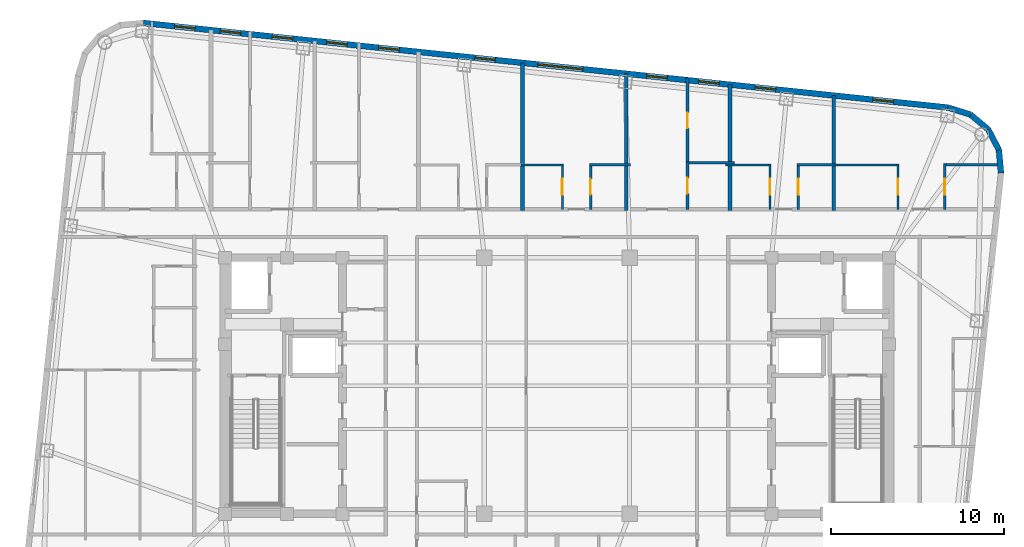
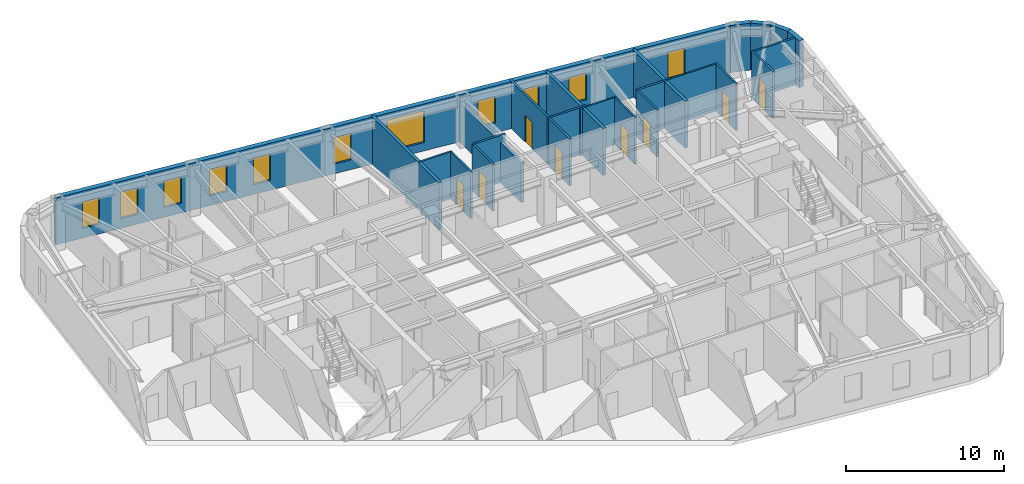
# One storey, part 8 of 11: 24 walls, 11 windows, 8 doors, 19 openings.
"""IFC4 building model written with IfcOpenShell, lengths in metres."""

from ifc_helpers import new_model, si_unit, direction, frame, frame_2d, origin, place, context, subcontext, project, spatial, rectangle, extrude, material, layer, layer_set, type_object, element, fill, save


model = new_model("IFC4")

# Units and contexts
model_context = context("Model", 3, precision=1e-05, world=origin(), true_north=direction((0.0, 1.0)))
body_context = subcontext(model_context, "Body", "Model", "MODEL_VIEW")
ifc_project = project(units=[si_unit("LENGTHUNIT", "METRE"), si_unit("AREAUNIT", "SQUARE_METRE"), si_unit("VOLUMEUNIT", "CUBIC_METRE"), si_unit("PLANEANGLEUNIT", "RADIAN"), si_unit("MASSUNIT", "GRAM", prefix="KILO")], contexts=[model_context])

# Site, building, storey
site_placement = place(None, origin())
site = spatial("IfcSite", under=ifc_project, at=site_placement, CompositionType="ELEMENT")
building_placement = place(site_placement, origin())
building = spatial("IfcBuilding", under=site, at=building_placement, Name="Voryun Gate Residences", CompositionType="ELEMENT")
storey_placement = place(building_placement, frame((0.0, 0.0, 295.10009765625)))
storey = spatial("IfcBuildingStorey", under=building, at=storey_placement, Name="L73", CompositionType="ELEMENT", Elevation=295.10009765625)

# Wall, openings, windows
ifc_material_1 = material(Name="Charcoal terracotta masonry", Category="masonry")
ifc_layer_1 = layer(ifc_material_1, 0.340087890625, Name="W_EXT_TERRACOTTA_340")
ifc_layer_set_1 = layer_set([ifc_layer_1], Name="Charcoal terracotta masonry")
wall_type_1 = type_object("IfcWallType", Name="W_EXT_TERRACOTTA_340", PredefinedType="ELEMENTEDWALL", material=ifc_layer_set_1)
wall_1_placement = place(storey_placement, frame((-23.90771484375, 20.97216796875, 0.0), z_axis=(0.0, 0.0, 1.0), x_axis=(0.994521888554, -0.104528528102, 0.0)))
wall_1 = element("IfcWall", 1, at=wall_1_placement, inside=storey, type_object=wall_type_1, Name="Exterior wall WEXT-L73-11", PredefinedType="ELEMENTEDWALL", context=body_context, shape_type="SweptSolid", body=[
    extrude(rectangle(XDim=46.766357421875, YDim=0.340087890625, at=frame_2d((23.38330078125, 0.0))), origin(), (0.0, 0.0, 1.0), 3.635009765625),
])
opening_1_placement = place(wall_1_placement, frame((22.93310546875, 0.0, 0.64990234375)))
opening_1 = element("IfcOpeningElement", 2, at=opening_1_placement, cuts=wall_1, Name="Opening WN4", PredefinedType="OPENING", context=body_context, shape_type="SweptSolid", body=[
    extrude(rectangle(XDim=2.60009765625, YDim=2.449951171875, at=frame_2d((1.300048828125, 1.22509765625))), frame((0.0, 0.179931640625, 0.0), z_axis=(0.0, -1.0, 0.0), x_axis=(1.0, 0.0, 0.0)), (0.0, 0.0, 1.0), 0.360107421875),
])
opening_2_placement = place(wall_1_placement, frame((1.81201171875, 0.0, 0.75)))
opening_2 = element("IfcOpeningElement", 3, at=opening_2_placement, cuts=wall_1, Name="Opening WN6", PredefinedType="OPENING", context=body_context, shape_type="SweptSolid", body=[
    extrude(rectangle(XDim=1.199951171875, YDim=2.050048828125, at=frame_2d((0.60009765625, 1.02490234375))), frame((0.0, 0.179931640625, 0.0), z_axis=(0.0, -1.0, 0.0), x_axis=(1.0, 0.0, 0.0)), (0.0, 0.0, 1.0), 0.360107421875),
])
opening_3_placement = place(wall_1_placement, frame((7.48095703125, 0.0, 0.75)))
opening_3 = element("IfcOpeningElement", 4, at=opening_3_placement, cuts=wall_1, Name="Opening WN6", PredefinedType="OPENING", context=body_context, shape_type="SweptSolid", body=[
    extrude(rectangle(XDim=1.199951171875, YDim=2.050048828125, at=frame_2d((0.60009765625, 1.02490234375))), frame((0.0, 0.179931640625, 0.0), z_axis=(0.0, -1.0, 0.0), x_axis=(1.0, 0.0, 0.0)), (0.0, 0.0, 1.0), 0.360107421875),
])
opening_4_placement = place(wall_1_placement, frame((4.46435546875, 0.0, 0.75)))
opening_4 = element("IfcOpeningElement", 5, at=opening_4_placement, cuts=wall_1, Name="Opening WN6", PredefinedType="OPENING", context=body_context, shape_type="SweptSolid", body=[
    extrude(rectangle(XDim=1.199951171875, YDim=2.050048828125, at=frame_2d((0.60009765625, 1.02490234375))), frame((0.0, 0.179931640625, 0.0), z_axis=(0.0, -1.0, 0.0), x_axis=(1.0, 0.0, 0.0)), (0.0, 0.0, 1.0), 0.360107421875),
])
opening_5_placement = place(wall_1_placement, frame((13.664794921875, 0.0, 0.75)))
opening_5 = element("IfcOpeningElement", 6, at=opening_5_placement, cuts=wall_1, Name="Opening WN6", PredefinedType="OPENING", context=body_context, shape_type="SweptSolid", body=[
    extrude(rectangle(XDim=1.199951171875, YDim=2.050048828125, at=frame_2d((0.60009765625, 1.02490234375))), frame((0.0, 0.179931640625, 0.0), z_axis=(0.0, -1.0, 0.0), x_axis=(1.0, 0.0, 0.0)), (0.0, 0.0, 1.0), 0.360107421875),
])
opening_6_placement = place(wall_1_placement, frame((10.648193359375, 0.0, 0.75)))
opening_6 = element("IfcOpeningElement", 7, at=opening_6_placement, cuts=wall_1, Name="Opening WN6", PredefinedType="OPENING", context=body_context, shape_type="SweptSolid", body=[
    extrude(rectangle(XDim=1.199951171875, YDim=2.050048828125, at=frame_2d((0.60009765625, 1.02490234375))), frame((0.0, 0.179931640625, 0.0), z_axis=(0.0, -1.0, 0.0), x_axis=(1.0, 0.0, 0.0)), (0.0, 0.0, 1.0), 0.360107421875),
])
opening_7_placement = place(wall_1_placement, frame((19.254150390625, 0.0, 0.75)))
opening_7 = element("IfcOpeningElement", 8, at=opening_7_placement, cuts=wall_1, Name="Opening WN6", PredefinedType="OPENING", context=body_context, shape_type="SweptSolid", body=[
    extrude(rectangle(XDim=1.199951171875, YDim=2.050048828125, at=frame_2d((0.60009765625, 1.02490234375))), frame((0.0, 0.179931640625, 0.0), z_axis=(0.0, -1.0, 0.0), x_axis=(1.0, 0.0, 0.0)), (0.0, 0.0, 1.0), 0.360107421875),
])
opening_8_placement = place(wall_1_placement, frame((29.2470703125, 0.0, 0.75)))
opening_8 = element("IfcOpeningElement", 9, at=opening_8_placement, cuts=wall_1, Name="Opening WN6", PredefinedType="OPENING", context=body_context, shape_type="SweptSolid", body=[
    extrude(rectangle(XDim=1.199951171875, YDim=2.050048828125, at=frame_2d((0.60009765625, 1.02490234375))), frame((0.0, 0.179931640625, 0.0), z_axis=(0.0, -1.0, 0.0), x_axis=(1.0, 0.0, 0.0)), (0.0, 0.0, 1.0), 0.360107421875),
])
opening_9_placement = place(wall_1_placement, frame((32.263671875, 0.0, 0.75)))
opening_9 = element("IfcOpeningElement", 10, at=opening_9_placement, cuts=wall_1, Name="Opening WN6", PredefinedType="OPENING", context=body_context, shape_type="SweptSolid", body=[
    extrude(rectangle(XDim=1.199951171875, YDim=2.050048828125, at=frame_2d((0.60009765625, 1.02490234375))), frame((0.0, 0.179931640625, 0.0), z_axis=(0.0, -1.0, 0.0), x_axis=(1.0, 0.0, 0.0)), (0.0, 0.0, 1.0), 0.360107421875),
])
opening_10_placement = place(wall_1_placement, frame((35.553466796875, 0.0, 0.75)))
opening_10 = element("IfcOpeningElement", 11, at=opening_10_placement, cuts=wall_1, Name="Opening WN6", PredefinedType="OPENING", context=body_context, shape_type="SweptSolid", body=[
    extrude(rectangle(XDim=1.199951171875, YDim=2.050048828125, at=frame_2d((0.60009765625, 1.02490234375))), frame((0.0, 0.179931640625, 0.0), z_axis=(0.0, -1.0, 0.0), x_axis=(1.0, 0.0, 0.0)), (0.0, 0.0, 1.0), 0.360107421875),
])
opening_11_placement = place(wall_1_placement, frame((42.40185546875, 0.0, 0.75)))
opening_11 = element("IfcOpeningElement", 12, at=opening_11_placement, cuts=wall_1, Name="Opening WN6", PredefinedType="OPENING", context=body_context, shape_type="SweptSolid", body=[
    extrude(rectangle(XDim=1.199951171875, YDim=2.050048828125, at=frame_2d((0.60009765625, 1.02490234375))), frame((0.0, 0.179931640625, 0.0), z_axis=(0.0, -1.0, 0.0), x_axis=(1.0, 0.0, 0.0)), (0.0, 0.0, 1.0), 0.360107421875),
])
ifc_material_2 = material(Name="Laminated low-E glass", Category="glass")
window_type_1 = type_object("IfcWindowType", Name="WN_PENT_TALL_2600", PartitioningType="SINGLE_PANEL", PredefinedType="WINDOW", material=ifc_material_2)
window_1_placement = place(opening_1_placement, origin())
window_1 = element("IfcWindow", 13, at=window_1_placement, inside=storey, type_object=window_type_1, Name="Window WN-WEXT-L73-11-02", OverallHeight=2.449951171875, OverallWidth=2.60009765625, PartitioningType="SINGLE_PANEL", PredefinedType="WINDOW", context=body_context, shape_type="SweptSolid", body=[
    extrude(rectangle(XDim=2.60009765625, YDim=2.449951171875, at=frame_2d((1.300048828125, 1.22509765625))), frame((0.0, 0.030029296875, 0.0), z_axis=(0.0, -1.0, 0.0), x_axis=(1.0, 0.0, 0.0)), (0.0, 0.0, 1.0), 0.06005859375),
])
fill(opening_1, window_1)
ifc_material_3 = material(Name="Laminated low-E glass", Category="glass")
window_type_2 = type_object("IfcWindowType", Name="WN_POD_SLOT_1200", PartitioningType="SINGLE_PANEL", PredefinedType="WINDOW", material=ifc_material_3)
window_2_placement = place(opening_2_placement, origin())
window_2 = element("IfcWindow", 14, at=window_2_placement, inside=storey, type_object=window_type_2, Name="Window WN-L73-DWFIX-02", OverallHeight=2.050048828125, OverallWidth=1.199951171875, PartitioningType="SINGLE_PANEL", PredefinedType="WINDOW", context=body_context, shape_type="SweptSolid", body=[
    extrude(rectangle(XDim=1.199951171875, YDim=2.050048828125, at=frame_2d((0.60009765625, 1.02490234375))), frame((0.0, 0.030029296875, 0.0), z_axis=(0.0, -1.0, 0.0), x_axis=(1.0, 0.0, 0.0)), (0.0, 0.0, 1.0), 0.06005859375),
])
fill(opening_2, window_2)
window_3_placement = place(opening_3_placement, origin())
window_3 = element("IfcWindow", 15, at=window_3_placement, inside=storey, type_object=window_type_2, Name="Window WN-L73-DWFIX-03", OverallHeight=2.050048828125, OverallWidth=1.199951171875, PartitioningType="SINGLE_PANEL", PredefinedType="WINDOW", context=body_context, shape_type="SweptSolid", body=[
    extrude(rectangle(XDim=1.199951171875, YDim=2.050048828125, at=frame_2d((0.60009765625, 1.02490234375))), frame((0.0, 0.030029296875, 0.0), z_axis=(0.0, -1.0, 0.0), x_axis=(1.0, 0.0, 0.0)), (0.0, 0.0, 1.0), 0.06005859375),
])
fill(opening_3, window_3)
window_4_placement = place(opening_4_placement, origin())
window_4 = element("IfcWindow", 16, at=window_4_placement, inside=storey, type_object=window_type_2, Name="Window WN-L73-DWFIX-04", OverallHeight=2.050048828125, OverallWidth=1.199951171875, PartitioningType="SINGLE_PANEL", PredefinedType="WINDOW", context=body_context, shape_type="SweptSolid", body=[
    extrude(rectangle(XDim=1.199951171875, YDim=2.050048828125, at=frame_2d((0.60009765625, 1.02490234375))), frame((0.0, 0.030029296875, 0.0), z_axis=(0.0, -1.0, 0.0), x_axis=(1.0, 0.0, 0.0)), (0.0, 0.0, 1.0), 0.06005859375),
])
fill(opening_4, window_4)
window_5_placement = place(opening_5_placement, origin())
window_5 = element("IfcWindow", 17, at=window_5_placement, inside=storey, type_object=window_type_2, Name="Window WN-L73-DWFIX-05", OverallHeight=2.050048828125, OverallWidth=1.199951171875, PartitioningType="SINGLE_PANEL", PredefinedType="WINDOW", context=body_context, shape_type="SweptSolid", body=[
    extrude(rectangle(XDim=1.199951171875, YDim=2.050048828125, at=frame_2d((0.60009765625, 1.02490234375))), frame((0.0, 0.030029296875, 0.0), z_axis=(0.0, -1.0, 0.0), x_axis=(1.0, 0.0, 0.0)), (0.0, 0.0, 1.0), 0.06005859375),
])
fill(opening_5, window_5)
window_6_placement = place(opening_6_placement, origin())
window_6 = element("IfcWindow", 18, at=window_6_placement, inside=storey, type_object=window_type_2, Name="Window WN-L73-DWFIX-06", OverallHeight=2.050048828125, OverallWidth=1.199951171875, PartitioningType="SINGLE_PANEL", PredefinedType="WINDOW", context=body_context, shape_type="SweptSolid", body=[
    extrude(rectangle(XDim=1.199951171875, YDim=2.050048828125, at=frame_2d((0.60009765625, 1.02490234375))), frame((0.0, 0.030029296875, 0.0), z_axis=(0.0, -1.0, 0.0), x_axis=(1.0, 0.0, 0.0)), (0.0, 0.0, 1.0), 0.06005859375),
])
fill(opening_6, window_6)
window_7_placement = place(opening_7_placement, origin())
window_7 = element("IfcWindow", 19, at=window_7_placement, inside=storey, type_object=window_type_2, Name="Window WN-L73-DWFIX-07", OverallHeight=2.050048828125, OverallWidth=1.199951171875, PartitioningType="SINGLE_PANEL", PredefinedType="WINDOW", context=body_context, shape_type="SweptSolid", body=[
    extrude(rectangle(XDim=1.199951171875, YDim=2.050048828125, at=frame_2d((0.60009765625, 1.02490234375))), frame((0.0, 0.030029296875, 0.0), z_axis=(0.0, -1.0, 0.0), x_axis=(1.0, 0.0, 0.0)), (0.0, 0.0, 1.0), 0.06005859375),
])
fill(opening_7, window_7)
window_8_placement = place(opening_8_placement, origin())
window_8 = element("IfcWindow", 20, at=window_8_placement, inside=storey, type_object=window_type_2, Name="Window WN-L73-DWFIX-08", OverallHeight=2.050048828125, OverallWidth=1.199951171875, PartitioningType="SINGLE_PANEL", PredefinedType="WINDOW", context=body_context, shape_type="SweptSolid", body=[
    extrude(rectangle(XDim=1.199951171875, YDim=2.050048828125, at=frame_2d((0.60009765625, 1.02490234375))), frame((0.0, 0.030029296875, 0.0), z_axis=(0.0, -1.0, 0.0), x_axis=(1.0, 0.0, 0.0)), (0.0, 0.0, 1.0), 0.06005859375),
])
fill(opening_8, window_8)
window_9_placement = place(opening_9_placement, origin())
window_9 = element("IfcWindow", 21, at=window_9_placement, inside=storey, type_object=window_type_2, Name="Window WN-L73-DWFIX-09", OverallHeight=2.050048828125, OverallWidth=1.199951171875, PartitioningType="SINGLE_PANEL", PredefinedType="WINDOW", context=body_context, shape_type="SweptSolid", body=[
    extrude(rectangle(XDim=1.199951171875, YDim=2.050048828125, at=frame_2d((0.60009765625, 1.02490234375))), frame((0.0, 0.030029296875, 0.0), z_axis=(0.0, -1.0, 0.0), x_axis=(1.0, 0.0, 0.0)), (0.0, 0.0, 1.0), 0.06005859375),
])
fill(opening_9, window_9)
window_10_placement = place(opening_10_placement, origin())
window_10 = element("IfcWindow", 22, at=window_10_placement, inside=storey, type_object=window_type_2, Name="Window WN-L73-DWFIX-10", OverallHeight=2.050048828125, OverallWidth=1.199951171875, PartitioningType="SINGLE_PANEL", PredefinedType="WINDOW", context=body_context, shape_type="SweptSolid", body=[
    extrude(rectangle(XDim=1.199951171875, YDim=2.050048828125, at=frame_2d((0.60009765625, 1.02490234375))), frame((0.0, 0.030029296875, 0.0), z_axis=(0.0, -1.0, 0.0), x_axis=(1.0, 0.0, 0.0)), (0.0, 0.0, 1.0), 0.06005859375),
])
fill(opening_10, window_10)
window_11_placement = place(opening_11_placement, origin())
window_11 = element("IfcWindow", 23, at=window_11_placement, inside=storey, type_object=window_type_2, Name="Window WN-L73-DWFIX-11", OverallHeight=2.050048828125, OverallWidth=1.199951171875, PartitioningType="SINGLE_PANEL", PredefinedType="WINDOW", context=body_context, shape_type="SweptSolid", body=[
    extrude(rectangle(XDim=1.199951171875, YDim=2.050048828125, at=frame_2d((0.60009765625, 1.02490234375))), frame((0.0, 0.030029296875, 0.0), z_axis=(0.0, -1.0, 0.0), x_axis=(1.0, 0.0, 0.0)), (0.0, 0.0, 1.0), 0.06005859375),
])
fill(opening_11, window_11)

# Walls
wall_2_placement = place(storey_placement, frame((22.6025390625, 16.083740234375, 0.0), z_axis=(0.0, 0.0, 1.0), x_axis=(0.955007802701, -0.296580674994, 0.0)))
element("IfcWall", 24, at=wall_2_placement, inside=storey, type_object=wall_type_1, Name="Exterior wall WEXT-L73-12", PredefinedType="ELEMENTEDWALL", context=body_context, shape_type="SweptSolid", body=[
    extrude(rectangle(XDim=1.354248046875, YDim=0.340087890625, at=frame_2d((0.67724609375, 0.0))), origin(), (0.0, 0.0, 1.0), 3.635009765625),
])
for number, where, z_axis, x_axis, name in (
    (25, (23.895751953125, 15.68212890625, 0.0), (0.0, 0.0, 1.0), (0.768789762863, -0.639501603217, 0.0), "Exterior wall WEXT-L73-13"),
    (26, (24.923583984375, 14.8271484375, 0.0), (0.0, 0.0, 1.0), (0.46567116636, -0.884957832228, 0.0), "Exterior wall WEXT-L73-14"),
):
    element("IfcWall", number, at=place(storey_placement, frame(where, z_axis=z_axis, x_axis=x_axis)), inside=storey, type_object=wall_type_1, Name=name, PredefinedType="ELEMENTEDWALL", context=body_context, shape_type="SweptSolid", body=[
        extrude(rectangle(XDim=1.3369140625, YDim=0.340087890625, at=frame_2d((0.66845703125, 0.0))), origin(), (0.0, 0.0, 1.0), 3.635009765625),
    ])
wall_3_placement = place(storey_placement, frame((25.546142578125, 13.64404296875, 0.0), z_axis=(0.0, 0.0, 1.0), x_axis=(0.091592370975, -0.995796584438, 0.0)))
element("IfcWall", 27, at=wall_3_placement, inside=storey, type_object=wall_type_1, Name="Exterior wall WEXT-L73-15", PredefinedType="ELEMENTEDWALL", context=body_context, shape_type="SweptSolid", body=[
    extrude(rectangle(XDim=1.35400390625, YDim=0.340087890625, at=frame_2d((0.677001953125, 0.0))), origin(), (0.0, 0.0, 1.0), 3.635009765625),
])
ifc_material_4 = material(Name="Concrete C40/50", Category="concrete")
ifc_layer_2 = layer(ifc_material_4, 0.219970703125, Name="W_PARTY_ACOUSTIC_220")
ifc_layer_set_2 = layer_set([ifc_layer_2], Name="Concrete C40/50")
wall_type_2 = type_object("IfcWallType", Name="W_PARTY_ACOUSTIC_220", PredefinedType="PARTITIONING", material=ifc_layer_set_2)
wall_4_placement = place(storey_placement, frame((-2.0, 10.1201171875, 0.0), z_axis=(0.0, 0.0, 1.0), x_axis=(0.0, 1.0, 0.0)))
element("IfcWall", 28, at=wall_4_placement, inside=storey, type_object=wall_type_2, Name="Partition wall WP-L73-NPTY-4", PredefinedType="PARTITIONING", context=body_context, shape_type="SweptSolid", body=[
    extrude(rectangle(XDim=8.549560546875, YDim=0.219970703125, at=frame_2d((4.27490234375, 0.0))), origin(), (0.0, 0.0, 1.0), 3.635009765625),
])
wall_5_placement = place(storey_placement, frame((4.0, 10.1201171875, 0.0), z_axis=(0.0, 0.0, 1.0), x_axis=(0.0, 1.0, 0.0)))
element("IfcWall", 29, at=wall_5_placement, inside=storey, type_object=wall_type_2, Name="Partition wall WP-L73-NPTY-5", PredefinedType="PARTITIONING", context=body_context, shape_type="SweptSolid", body=[
    extrude(rectangle(XDim=7.918701171875, YDim=0.219970703125, at=frame_2d((3.95947265625, 0.0))), origin(), (0.0, 0.0, 1.0), 3.074951171875),
])
wall_6_placement = place(storey_placement, frame((10.0, 10.1201171875, 0.0), z_axis=(0.0, 0.0, 1.0), x_axis=(0.0, 1.0, 0.0)))
element("IfcWall", 30, at=wall_6_placement, inside=storey, type_object=wall_type_2, Name="Partition wall WP-L73-NPTY-6", PredefinedType="PARTITIONING", context=body_context, shape_type="SweptSolid", body=[
    extrude(rectangle(XDim=7.2880859375, YDim=0.219970703125, at=frame_2d((3.64404296875, 0.0))), origin(), (0.0, 0.0, 1.0), 3.635009765625),
])
wall_7_placement = place(storey_placement, frame((16.0, 10.1201171875, 0.0), z_axis=(0.0, 0.0, 1.0), x_axis=(0.0, 1.0, 0.0)))
element("IfcWall", 31, at=wall_7_placement, inside=storey, type_object=wall_type_2, Name="Partition wall WP-L73-NPTY-7", PredefinedType="PARTITIONING", context=body_context, shape_type="SweptSolid", body=[
    extrude(rectangle(XDim=6.657470703125, YDim=0.219970703125, at=frame_2d((3.32861328125, 0.0))), origin(), (0.0, 0.0, 1.0), 3.635009765625),
])

# Wall, opening, door
ifc_material_5 = material(Name="Gypsum acoustic partition")
ifc_layer_3 = layer(ifc_material_5, 0.125, Name="W_UNIT_PART_125")
ifc_layer_set_3 = layer_set([ifc_layer_3], Name="Gypsum acoustic partition")
wall_type_3 = type_object("IfcWallType", Name="W_UNIT_PART_125", PredefinedType="PARTITIONING", material=ifc_layer_set_3)
wall_8_placement = place(storey_placement, frame((0.31005859375, 10.179931640625, 0.0), z_axis=(0.0, 0.0, 1.0), x_axis=(0.0, 1.0, 0.0)))
wall_8 = element("IfcWall", 32, at=wall_8_placement, inside=storey, type_object=wall_type_3, Name="Partition wall WP-L73-N5-CVK", PredefinedType="PARTITIONING", context=body_context, shape_type="SweptSolid", body=[
    extrude(rectangle(XDim=2.650146484375, YDim=0.125, at=frame_2d((1.3251953125, 0.0))), origin(), (0.0, 0.0, 1.0), 3.635009765625),
])
opening_12_placement = place(wall_8_placement, frame((0.875, 0.0, 0.0)))
opening_12 = element("IfcOpeningElement", 33, at=opening_12_placement, cuts=wall_8, Name="Opening D-INT-2", PredefinedType="OPENING", context=body_context, shape_type="SweptSolid", body=[
    extrude(rectangle(XDim=0.89990234375, YDim=2.050048828125, at=frame_2d((0.449951171875, 1.02490234375))), frame((0.0, 0.072509765625, 0.0), z_axis=(0.0, -1.0, 0.0), x_axis=(1.0, 0.0, 0.0)), (0.0, 0.0, 1.0), 0.14501953125),
])
ifc_material_6 = material(Name="Architectural oak veneer")
door_type = type_object("IfcDoorType", Name="DR_INT_BATH_900", OperationType="NOTDEFINED", PredefinedType="DOOR", material=ifc_material_6)
door_1_placement = place(opening_12_placement, origin())
door_1 = element("IfcDoor", 34, at=door_1_placement, inside=storey, type_object=door_type, Name="Door DR-L73-N5-DK", OperationType="SINGLE_SWING_LEFT", OverallHeight=2.050048828125, OverallWidth=0.89990234375, PredefinedType="DOOR", context=body_context, shape_type="SweptSolid", body=[
    extrude(rectangle(XDim=0.89990234375, YDim=2.050048828125, at=frame_2d((0.449951171875, 1.02490234375))), frame((0.0, 0.02490234375, 0.0), z_axis=(0.0, -1.0, 0.0), x_axis=(1.0, 0.0, 0.0)), (0.0, 0.0, 1.0), 0.050048828125),
])
fill(opening_12, door_1)

# Wall
wall_9_placement = place(storey_placement, frame((-2.074951171875, 12.77001953125, 0.0), z_axis=(0.0, 0.0, 1.0), x_axis=(1.0, 0.0, 0.0)))
element("IfcWall", 35, at=wall_9_placement, inside=storey, type_object=wall_type_3, Name="Partition wall WP-L73-N5-CHK", PredefinedType="PARTITIONING", context=body_context, shape_type="SweptSolid", body=[
    extrude(rectangle(XDim=2.445068359375, YDim=0.125, at=frame_2d((1.22265625, 0.0))), origin(), (0.0, 0.0, 1.0), 3.635009765625),
])

# Wall, opening, door
wall_10_placement = place(storey_placement, frame((12.31005859375, 10.179931640625, 0.0), z_axis=(0.0, 0.0, 1.0), x_axis=(0.0, 1.0, 0.0)))
wall_10 = element("IfcWall", 36, at=wall_10_placement, inside=storey, type_object=wall_type_3, Name="Partition wall WP-L73-N7-CVK", PredefinedType="PARTITIONING", context=body_context, shape_type="SweptSolid", body=[
    extrude(rectangle(XDim=2.650146484375, YDim=0.125, at=frame_2d((1.3251953125, 0.0))), origin(), (0.0, 0.0, 1.0), 3.635009765625),
])
opening_13_placement = place(wall_10_placement, frame((0.875, 0.0, 0.0)))
opening_13 = element("IfcOpeningElement", 37, at=opening_13_placement, cuts=wall_10, Name="Opening D-INT-2", PredefinedType="OPENING", context=body_context, shape_type="SweptSolid", body=[
    extrude(rectangle(XDim=0.89990234375, YDim=2.050048828125, at=frame_2d((0.449951171875, 1.02490234375))), frame((0.0, 0.072509765625, 0.0), z_axis=(0.0, -1.0, 0.0), x_axis=(1.0, 0.0, 0.0)), (0.0, 0.0, 1.0), 0.14501953125),
])
door_2_placement = place(opening_13_placement, origin())
door_2 = element("IfcDoor", 38, at=door_2_placement, inside=storey, type_object=door_type, Name="Door DR-L73-N7-DK", OperationType="SINGLE_SWING_LEFT", OverallHeight=2.050048828125, OverallWidth=0.89990234375, PredefinedType="DOOR", context=body_context, shape_type="SweptSolid", body=[
    extrude(rectangle(XDim=0.89990234375, YDim=2.050048828125, at=frame_2d((0.449951171875, 1.02490234375))), frame((0.0, 0.02490234375, 0.0), z_axis=(0.0, -1.0, 0.0), x_axis=(1.0, 0.0, 0.0)), (0.0, 0.0, 1.0), 0.050048828125),
])
fill(opening_13, door_2)

# Wall
wall_11_placement = place(storey_placement, frame((9.739990234375, 12.77001953125, 0.0), z_axis=(0.0, 0.0, 1.0), x_axis=(1.0, 0.0, 0.0)))
element("IfcWall", 39, at=wall_11_placement, inside=storey, type_object=wall_type_3, Name="Partition wall WP-L73-N7-CHK", PredefinedType="PARTITIONING", context=body_context, shape_type="SweptSolid", body=[
    extrude(rectangle(XDim=2.630126953125, YDim=0.125, at=frame_2d((1.31494140625, 0.0))), origin(), (0.0, 0.0, 1.0), 3.635009765625),
])

# Wall, opening, door
wall_12_placement = place(storey_placement, frame((19.714111328125, 10.179931640625, 0.0), z_axis=(0.0, 0.0, 1.0), x_axis=(0.0, 1.0, 0.0)))
wall_12 = element("IfcWall", 40, at=wall_12_placement, inside=storey, type_object=wall_type_3, Name="Partition wall WP-L73-N8-CVK", PredefinedType="PARTITIONING", context=body_context, shape_type="SweptSolid", body=[
    extrude(rectangle(XDim=2.650146484375, YDim=0.125, at=frame_2d((1.3251953125, 0.0))), origin(), (0.0, 0.0, 1.0), 3.635009765625),
])
opening_14_placement = place(wall_12_placement, frame((0.875, 0.0, 0.0)))
opening_14 = element("IfcOpeningElement", 41, at=opening_14_placement, cuts=wall_12, Name="Opening D-INT-2", PredefinedType="OPENING", context=body_context, shape_type="SweptSolid", body=[
    extrude(rectangle(XDim=0.89990234375, YDim=2.050048828125, at=frame_2d((0.449951171875, 1.02490234375))), frame((0.0, 0.072509765625, 0.0), z_axis=(0.0, -1.0, 0.0), x_axis=(1.0, 0.0, 0.0)), (0.0, 0.0, 1.0), 0.14501953125),
])
door_3_placement = place(opening_14_placement, origin())
door_3 = element("IfcDoor", 42, at=door_3_placement, inside=storey, type_object=door_type, Name="Door DR-L73-N8-DK", OperationType="SINGLE_SWING_LEFT", OverallHeight=2.050048828125, OverallWidth=0.89990234375, PredefinedType="DOOR", context=body_context, shape_type="SweptSolid", body=[
    extrude(rectangle(XDim=0.89990234375, YDim=2.050048828125, at=frame_2d((0.449951171875, 1.02490234375))), frame((0.0, 0.02490234375, 0.0), z_axis=(0.0, -1.0, 0.0), x_axis=(1.0, 0.0, 0.0)), (0.0, 0.0, 1.0), 0.050048828125),
])
fill(opening_14, door_3)

# Wall
wall_13_placement = place(storey_placement, frame((15.925048828125, 12.77001953125, 0.0), z_axis=(0.0, 0.0, 1.0), x_axis=(1.0, 0.0, 0.0)))
element("IfcWall", 43, at=wall_13_placement, inside=storey, type_object=wall_type_3, Name="Partition wall WP-L73-N8-CHK", PredefinedType="PARTITIONING", context=body_context, shape_type="SweptSolid", body=[
    extrude(rectangle(XDim=3.848876953125, YDim=0.125, at=frame_2d((1.92431640625, 0.0))), origin(), (0.0, 0.0, 1.0), 3.635009765625),
])

# Wall, opening, door
ifc_material_7 = material(Name="Gypsum moisture-resistant partition")
ifc_layer_4 = layer(ifc_material_7, 0.14990234375, Name="W_WET_PLUMB_150")
ifc_layer_set_4 = layer_set([ifc_layer_4], Name="Gypsum moisture-resistant partition")
wall_type_4 = type_object("IfcWallType", Name="W_WET_PLUMB_150", PredefinedType="PLUMBINGWALL", material=ifc_layer_set_4)
wall_14_placement = place(storey_placement, frame((1.94091796875, 10.179931640625, 0.0), z_axis=(0.0, 0.0, 1.0), x_axis=(0.0, 1.0, 0.0)))
wall_14 = element("IfcWall", 44, at=wall_14_placement, inside=storey, type_object=wall_type_4, Name="Partition wall WP-L73-N5-CVB", PredefinedType="PLUMBINGWALL", context=body_context, shape_type="SweptSolid", body=[
    extrude(rectangle(XDim=2.650146484375, YDim=0.14990234375, at=frame_2d((1.3251953125, 0.0))), origin(), (0.0, 0.0, 1.0), 3.635009765625),
])
opening_15_placement = place(wall_14_placement, frame((0.875, 0.0, 0.0)))
opening_15 = element("IfcOpeningElement", 45, at=opening_15_placement, cuts=wall_14, Name="Opening D-INT-2", PredefinedType="OPENING", context=body_context, shape_type="SweptSolid", body=[
    extrude(rectangle(XDim=0.89990234375, YDim=2.050048828125, at=frame_2d((0.449951171875, 1.02490234375))), frame((0.0, 0.0849609375, 0.0), z_axis=(0.0, -1.0, 0.0), x_axis=(1.0, 0.0, 0.0)), (0.0, 0.0, 1.0), 0.169921875),
])
door_4_placement = place(opening_15_placement, origin())
door_4 = element("IfcDoor", 46, at=door_4_placement, inside=storey, type_object=door_type, Name="Door DR-L73-N5-DB", OperationType="SINGLE_SWING_RIGHT", OverallHeight=2.050048828125, OverallWidth=0.89990234375, PredefinedType="DOOR", context=body_context, shape_type="SweptSolid", body=[
    extrude(rectangle(XDim=0.89990234375, YDim=2.050048828125, at=frame_2d((0.449951171875, 1.02490234375))), frame((0.0, 0.02490234375, 0.0), z_axis=(0.0, -1.0, 0.0), x_axis=(1.0, 0.0, 0.0)), (0.0, 0.0, 1.0), 0.050048828125),
])
fill(opening_15, door_4)

# Walls
wall_15_placement = place(storey_placement, frame((1.881103515625, 12.77001953125, 0.0), z_axis=(0.0, 0.0, 1.0), x_axis=(1.0, 0.0, 0.0)))
element("IfcWall", 47, at=wall_15_placement, inside=storey, type_object=wall_type_4, Name="Partition wall WP-L73-N5-CHB", PredefinedType="PLUMBINGWALL", context=body_context, shape_type="SweptSolid", body=[
    extrude(rectangle(XDim=2.37890625, YDim=0.14990234375, at=frame_2d((1.189453125, 0.0))), origin(), (0.0, 0.0, 1.0), 3.635009765625),
])
wall_16_placement = place(storey_placement, frame((7.467041015625, 12.89990234375, 0.0), z_axis=(0.0, 0.0, 1.0), x_axis=(1.0, 0.0, 0.0)))
element("IfcWall", 48, at=wall_16_placement, inside=storey, type_object=wall_type_4, Name="Partition wall WP-L73-N6-SKB", PredefinedType="PLUMBINGWALL", context=body_context, shape_type="SweptSolid", body=[
    extrude(rectangle(XDim=2.79296875, YDim=0.14990234375, at=frame_2d((1.396484375, 0.0))), origin(), (0.0, 0.0, 1.0), 3.635009765625),
])

# Wall, opening, door
wall_17_placement = place(storey_placement, frame((7.547119140625, 10.179931640625, 0.0), z_axis=(0.0, 0.0, 1.0), x_axis=(0.0, 1.0, 0.0)))
wall_17 = element("IfcWall", 49, at=wall_17_placement, inside=storey, type_object=wall_type_4, Name="Partition wall WP-L73-N6-SVT1", PredefinedType="PLUMBINGWALL", context=body_context, shape_type="SweptSolid", body=[
    extrude(rectangle(XDim=2.760009765625, YDim=0.14990234375, at=frame_2d((1.3798828125, 0.0))), origin(), (0.0, 0.0, 1.0), 3.635009765625),
])
opening_16_placement = place(wall_17_placement, frame((0.929931640625, 0.0, 0.0)))
opening_16 = element("IfcOpeningElement", 50, at=opening_16_placement, cuts=wall_17, Name="Opening D-INT-2", PredefinedType="OPENING", context=body_context, shape_type="SweptSolid", body=[
    extrude(rectangle(XDim=0.89990234375, YDim=2.050048828125, at=frame_2d((0.449951171875, 1.02490234375))), frame((0.0, 0.0849609375, 0.0), z_axis=(0.0, -1.0, 0.0), x_axis=(1.0, 0.0, 0.0)), (0.0, 0.0, 1.0), 0.169921875),
])
door_5_placement = place(opening_16_placement, origin())
door_5 = element("IfcDoor", 51, at=door_5_placement, inside=storey, type_object=door_type, Name="Door DR-L73-N6-DB", OperationType="SINGLE_SWING_LEFT", OverallHeight=2.050048828125, OverallWidth=0.89990234375, PredefinedType="DOOR", context=body_context, shape_type="SweptSolid", body=[
    extrude(rectangle(XDim=0.89990234375, YDim=2.050048828125, at=frame_2d((0.449951171875, 1.02490234375))), frame((0.0, 0.02490234375, 0.0), z_axis=(0.0, -1.0, 0.0), x_axis=(1.0, 0.0, 0.0)), (0.0, 0.0, 1.0), 0.050048828125),
])
fill(opening_16, door_5)

wall_18_placement = place(storey_placement, frame((7.547119140625, 12.860107421875, 0.0), z_axis=(0.0, 0.0, 1.0), x_axis=(0.0, 1.0, 0.0)))
wall_18 = element("IfcWall", 52, at=wall_18_placement, inside=storey, type_object=wall_type_4, Name="Partition wall WP-L73-N6-SVT2", PredefinedType="PLUMBINGWALL", context=body_context, shape_type="SweptSolid", body=[
    extrude(rectangle(XDim=4.956787109375, YDim=0.14990234375, at=frame_2d((2.478515625, 0.0))), origin(), (0.0, 0.0, 1.0), 3.635009765625),
])
opening_17_placement = place(wall_18_placement, frame((2.028564453125, 0.0, 0.0)))
opening_17 = element("IfcOpeningElement", 53, at=opening_17_placement, cuts=wall_18, Name="Opening D-INT-2", PredefinedType="OPENING", context=body_context, shape_type="SweptSolid", body=[
    extrude(rectangle(XDim=0.89990234375, YDim=2.050048828125, at=frame_2d((0.449951171875, 1.02490234375))), frame((0.0, 0.0849609375, 0.0), z_axis=(0.0, -1.0, 0.0), x_axis=(1.0, 0.0, 0.0)), (0.0, 0.0, 1.0), 0.169921875),
])
door_6_placement = place(opening_17_placement, origin())
door_6 = element("IfcDoor", 54, at=door_6_placement, inside=storey, type_object=door_type, Name="Door DR-L73-N6-DK", OperationType="SINGLE_SWING_RIGHT", OverallHeight=2.050048828125, OverallWidth=0.89990234375, PredefinedType="DOOR", context=body_context, shape_type="SweptSolid", body=[
    extrude(rectangle(XDim=0.89990234375, YDim=2.050048828125, at=frame_2d((0.449951171875, 1.02490234375))), frame((0.0, 0.02490234375, 0.0), z_axis=(0.0, -1.0, 0.0), x_axis=(1.0, 0.0, 0.0)), (0.0, 0.0, 1.0), 0.050048828125),
])
fill(opening_17, door_6)

wall_19_placement = place(storey_placement, frame((13.94091796875, 10.179931640625, 0.0), z_axis=(0.0, 0.0, 1.0), x_axis=(0.0, 1.0, 0.0)))
wall_19 = element("IfcWall", 55, at=wall_19_placement, inside=storey, type_object=wall_type_4, Name="Partition wall WP-L73-N7-CVB", PredefinedType="PLUMBINGWALL", context=body_context, shape_type="SweptSolid", body=[
    extrude(rectangle(XDim=2.650146484375, YDim=0.14990234375, at=frame_2d((1.3251953125, 0.0))), origin(), (0.0, 0.0, 1.0), 3.635009765625),
])
opening_18_placement = place(wall_19_placement, frame((0.875, 0.0, 0.0)))
opening_18 = element("IfcOpeningElement", 56, at=opening_18_placement, cuts=wall_19, Name="Opening D-INT-2", PredefinedType="OPENING", context=body_context, shape_type="SweptSolid", body=[
    extrude(rectangle(XDim=0.89990234375, YDim=2.050048828125, at=frame_2d((0.449951171875, 1.02490234375))), frame((0.0, 0.0849609375, 0.0), z_axis=(0.0, -1.0, 0.0), x_axis=(1.0, 0.0, 0.0)), (0.0, 0.0, 1.0), 0.169921875),
])
door_7_placement = place(opening_18_placement, origin())
door_7 = element("IfcDoor", 57, at=door_7_placement, inside=storey, type_object=door_type, Name="Door DR-L73-N7-DB", OperationType="SINGLE_SWING_RIGHT", OverallHeight=2.050048828125, OverallWidth=0.89990234375, PredefinedType="DOOR", context=body_context, shape_type="SweptSolid", body=[
    extrude(rectangle(XDim=0.89990234375, YDim=2.050048828125, at=frame_2d((0.449951171875, 1.02490234375))), frame((0.0, 0.02490234375, 0.0), z_axis=(0.0, -1.0, 0.0), x_axis=(1.0, 0.0, 0.0)), (0.0, 0.0, 1.0), 0.050048828125),
])
fill(opening_18, door_7)

# Wall
wall_20_placement = place(storey_placement, frame((13.881103515625, 12.77001953125, 0.0), z_axis=(0.0, 0.0, 1.0), x_axis=(1.0, 0.0, 0.0)))
element("IfcWall", 58, at=wall_20_placement, inside=storey, type_object=wall_type_4, Name="Partition wall WP-L73-N7-CHB", PredefinedType="PLUMBINGWALL", context=body_context, shape_type="SweptSolid", body=[
    extrude(rectangle(XDim=2.19384765625, YDim=0.14990234375, at=frame_2d((1.096923828125, 0.0))), origin(), (0.0, 0.0, 1.0), 3.635009765625),
])

# Wall, opening, door
wall_21_placement = place(storey_placement, frame((22.406982421875, 10.179931640625, 0.0), z_axis=(0.0, 0.0, 1.0), x_axis=(0.0, 1.0, 0.0)))
wall_21 = element("IfcWall", 59, at=wall_21_placement, inside=storey, type_object=wall_type_4, Name="Partition wall WP-L73-N8-CVB", PredefinedType="PLUMBINGWALL", context=body_context, shape_type="SweptSolid", body=[
    extrude(rectangle(XDim=2.650146484375, YDim=0.14990234375, at=frame_2d((1.3251953125, 0.0))), origin(), (0.0, 0.0, 1.0), 3.635009765625),
])
opening_19_placement = place(wall_21_placement, frame((0.875, 0.0, 0.0)))
opening_19 = element("IfcOpeningElement", 60, at=opening_19_placement, cuts=wall_21, Name="Opening D-INT-2", PredefinedType="OPENING", context=body_context, shape_type="SweptSolid", body=[
    extrude(rectangle(XDim=0.89990234375, YDim=2.050048828125, at=frame_2d((0.449951171875, 1.02490234375))), frame((0.0, 0.0849609375, 0.0), z_axis=(0.0, -1.0, 0.0), x_axis=(1.0, 0.0, 0.0)), (0.0, 0.0, 1.0), 0.169921875),
])
door_8_placement = place(opening_19_placement, origin())
door_8 = element("IfcDoor", 61, at=door_8_placement, inside=storey, type_object=door_type, Name="Door DR-L73-N8-DB", OperationType="SINGLE_SWING_RIGHT", OverallHeight=2.050048828125, OverallWidth=0.89990234375, PredefinedType="DOOR", context=body_context, shape_type="SweptSolid", body=[
    extrude(rectangle(XDim=0.89990234375, YDim=2.050048828125, at=frame_2d((0.449951171875, 1.02490234375))), frame((0.0, 0.02490234375, 0.0), z_axis=(0.0, -1.0, 0.0), x_axis=(1.0, 0.0, 0.0)), (0.0, 0.0, 1.0), 0.050048828125),
])
fill(opening_19, door_8)

# Wall
wall_22_placement = place(storey_placement, frame((22.346923828125, 12.77001953125, 0.0), z_axis=(0.0, 0.0, 1.0), x_axis=(1.0, 0.0, 0.0)))
element("IfcWall", 62, at=wall_22_placement, inside=storey, type_object=wall_type_4, Name="Partition wall WP-L73-N8-CHB", PredefinedType="PLUMBINGWALL", context=body_context, shape_type="SweptSolid", body=[
    extrude(rectangle(XDim=3.43017578125, YDim=0.14990234375, at=frame_2d((1.715087890625, 0.0))), origin(), (0.0, 0.0, 1.0), 3.635009765625),
])

save(model, "model.ifc")
